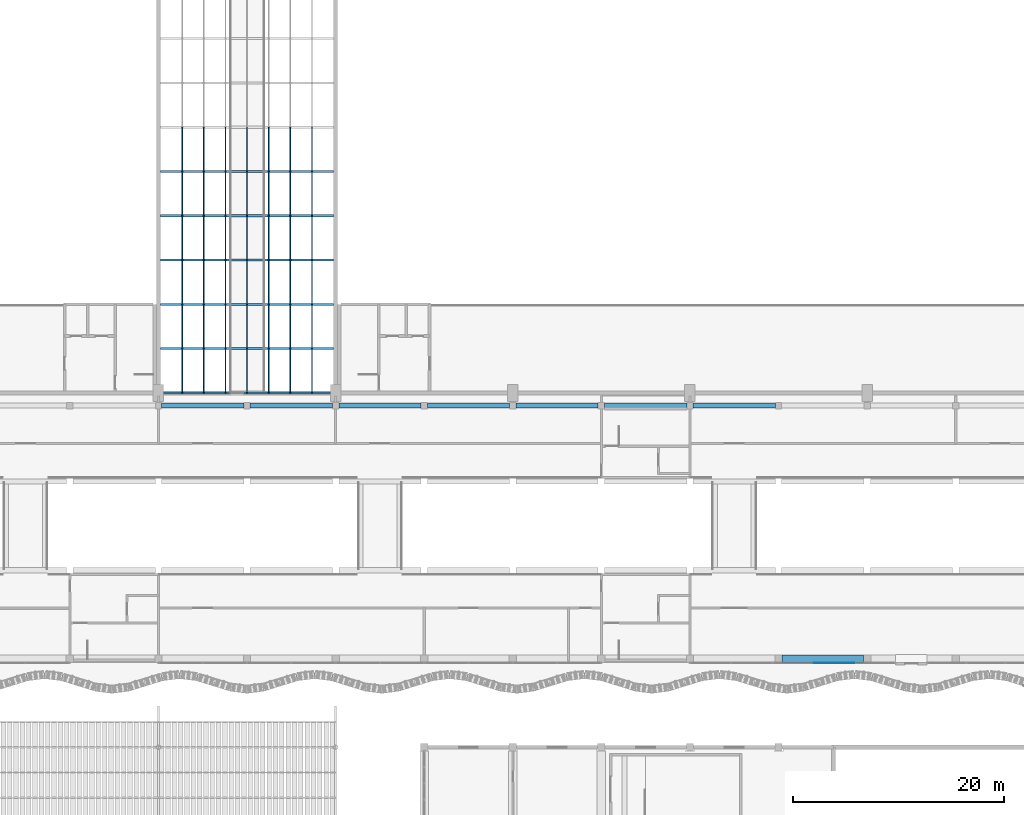
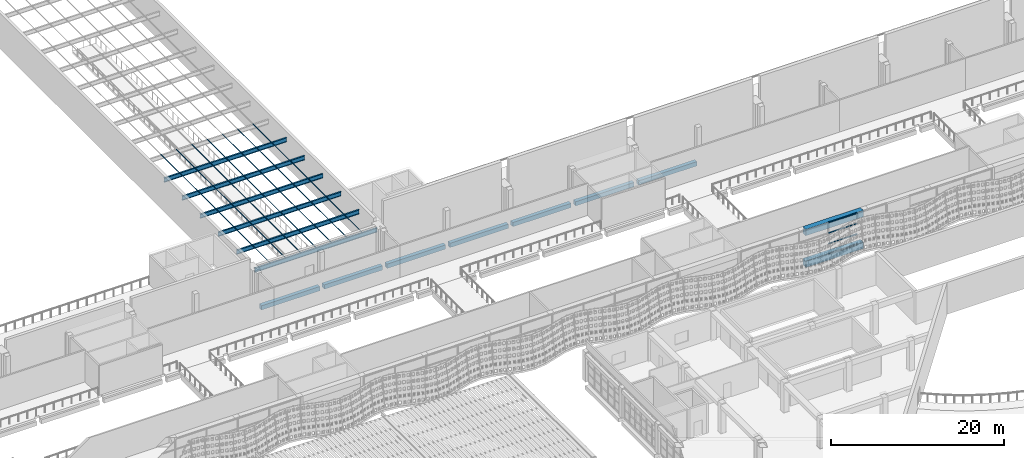
# One storey, part 51 of 162: 46 members, 15 beams, 1 element without a shape of its own.
"""IFC4 building model written with IfcOpenShell, lengths in metres."""

import ifcopenshell
import ifcopenshell.guid

model = None  # the IFC model being written
_history = None  # IfcOwnerHistory: only IFC2X3 demands one
_inside = {}  # id of a spatial element -> (the spatial element, [elements in it])
_under = {}  # id of a project, library or spatial element -> (it, [spatial elements below it])
_declared = {}  # id of a project -> (the project, [libraries it declares])
_typed = {}  # id of a type object -> (the type object, [elements of that type])
_made_of = {}  # id of a material, layer set ... -> (it, [elements and type objects made of it])


def new_model(schema):
    """Start an empty IFC model of exactly this schema.

    Asked for "IFC4X3", IfcOpenShell would pick the latest addendum, in which some entities
    have other attributes; the version numbers below select the first issue.
    IFC2X3 requires an IfcOwnerHistory on every rooted entity: one is made here for all.
    """
    global model, _history
    if schema == "IFC4X3":
        model = ifcopenshell.file(schema_version=(4, 3, 0, 0))
    else:
        model = ifcopenshell.file(schema=schema)
    _inside.clear()
    _under.clear()
    _declared.clear()
    _typed.clear()
    _made_of.clear()
    _history = None
    if model.schema == "IFC2X3":
        org = make("IfcOrganization", Name="unknown")
        user = make(
            "IfcPersonAndOrganization",
            ThePerson=make("IfcPerson", FamilyName="unknown"),
            TheOrganization=org,
        )
        app = make(
            "IfcApplication",
            ApplicationDeveloper=org,
            Version="unknown",
            ApplicationFullName="unknown",
            ApplicationIdentifier="unknown",
        )
        _history = make(
            "IfcOwnerHistory",
            OwningUser=user,
            OwningApplication=app,
            ChangeAction="ADDED",
            CreationDate=0,
        )
    return model


def make(cls, **values):
    """One entity of the class cls with the attributes given. An attribute that is None is left unset."""
    return model.create_entity(
        cls, **{name: value for name, value in values.items() if value is not None}
    )


def rooted(cls, **values):
    """An entity with a GlobalId (a new one), such as an element, a storey or a relation."""
    return make(cls, GlobalId=ifcopenshell.guid.new(), OwnerHistory=_history, **values)


def si_unit(unit_type, name, prefix=None):
    """IfcSIUnit, for example si_unit("LENGTHUNIT", "METRE", prefix="MILLI")."""
    return make("IfcSIUnit", UnitType=unit_type, Prefix=prefix, Name=name)


def assignment(units):
    """IfcUnitAssignment: the units of a project."""
    return None if units is None else make("IfcUnitAssignment", Units=units)


def point(xyz):
    """IfcCartesianPoint."""
    return None if xyz is None else make("IfcCartesianPoint", Coordinates=xyz)


def direction(xyz):
    """IfcDirection."""
    return None if xyz is None else make("IfcDirection", DirectionRatios=xyz)


def frame(location, z_axis=None, x_axis=None):
    """IfcAxis2Placement3D, a coordinate frame: its origin and axes. An axis left out is left unset."""
    return make(
        "IfcAxis2Placement3D",
        Location=point(location),
        Axis=direction(z_axis),
        RefDirection=direction(x_axis),
    )


def frame_2d(location, x_axis=None):
    """IfcAxis2Placement2D, a coordinate frame in the plane: its origin and x axis."""
    return make(
        "IfcAxis2Placement2D", Location=point(location), RefDirection=direction(x_axis)
    )


def origin():
    """The frame at (0, 0, 0) with its axes left unset."""
    return frame((0.0, 0.0, 0.0))


def origin_2d():
    """The frame at (0, 0) in the plane with its x axis left unset."""
    return frame_2d((0.0, 0.0))


def place(relative_to, where):
    """IfcLocalPlacement: puts the frame where relative to a parent placement (None: the world)."""
    return make(
        "IfcLocalPlacement", PlacementRelTo=relative_to, RelativePlacement=where
    )


def context(
    kind, dimensions, precision=None, world=None, true_north=None, identifier=None
):
    """IfcGeometricRepresentationContext, for example the 3D "Model" context."""
    return make(
        "IfcGeometricRepresentationContext",
        ContextIdentifier=identifier,
        ContextType=kind,
        CoordinateSpaceDimension=dimensions,
        Precision=precision,
        WorldCoordinateSystem=world,
        TrueNorth=true_north,
    )


def subcontext(parent, identifier, kind, view, scale=None):
    """IfcGeometricRepresentationSubContext, for example "Body" below "Model"."""
    return make(
        "IfcGeometricRepresentationSubContext",
        ContextIdentifier=identifier,
        ContextType=kind,
        ParentContext=parent,
        TargetScale=scale,
        TargetView=view,
    )


def project(units=None, contexts=None):
    """IfcProject with its units and contexts."""
    return rooted(
        "IfcProject",
        Name="project",
        RepresentationContexts=contexts,
        UnitsInContext=assignment(units),
    )


def spatial(cls, under=None, at=None, **own):
    """A site, building, storey or space (cls), placed at a placement, below another one or the project."""
    s = rooted(cls, ObjectPlacement=at, **own)
    if under is not None:
        _under.setdefault(under.id(), (under, []))[1].append(s)
    return s


def profile(cls, at=None, kind="AREA", **sizes):
    """A parametric profile (cls). Its sizes go by their IFC names, for example OverallWidth=200.0."""
    return make(cls, ProfileType=kind, Position=at, **sizes)


def rectangle(**sizes):
    """IfcRectangleProfileDef."""
    return profile("IfcRectangleProfileDef", **sizes)


def hollow_circle(**sizes):
    """IfcCircleHollowProfileDef."""
    return profile("IfcCircleHollowProfileDef", **sizes)


def i_section(**sizes):
    """IfcIShapeProfileDef."""
    return profile("IfcIShapeProfileDef", **sizes)


def extrude(swept, where, along, depth):
    """IfcExtrudedAreaSolid: the profile swept, set in the frame where, extruded along a direction by depth."""
    return make(
        "IfcExtrudedAreaSolid",
        SweptArea=swept,
        Position=where,
        ExtrudedDirection=direction(along),
        Depth=depth,
    )


def shape(context_of_items, identifier, shape_type, items):
    """IfcShapeRepresentation: the items that make up one representation, for example the "Body"."""
    return make(
        "IfcShapeRepresentation",
        ContextOfItems=context_of_items,
        RepresentationIdentifier=identifier,
        RepresentationType=shape_type,
        Items=items,
    )


def material(Name=None, Category=None):
    """IfcMaterial."""
    return make("IfcMaterial", Name=Name, Category=Category)


def layer(
    of_material, thickness, ventilated=None, Name=None, Category=None, Priority=None
):
    """IfcMaterialLayer: one layer of a wall or slab, of a material (None: an air gap)."""
    return make(
        "IfcMaterialLayer",
        Material=of_material,
        LayerThickness=thickness,
        IsVentilated=ventilated,
        Name=Name,
        Category=Category,
        Priority=Priority,
    )


def layer_set(layers, Name=None):
    """IfcMaterialLayerSet."""
    return make("IfcMaterialLayerSet", MaterialLayers=layers, LayerSetName=Name)


def material_profile(
    of_material, cross_section, Name=None, Category=None, Priority=None
):
    """IfcMaterialProfile: a cross section and its material."""
    return make(
        "IfcMaterialProfile",
        Name=Name,
        Material=of_material,
        Profile=cross_section,
        Priority=Priority,
        Category=Category,
    )


def profile_set(profiles, Name=None, composite=None):
    """IfcMaterialProfileSet."""
    return make(
        "IfcMaterialProfileSet",
        Name=Name,
        MaterialProfiles=profiles,
        CompositeProfile=composite,
    )


def made_of(thing, what):
    """Note that an element or type object is made of a material, layer set ...; save() writes the relation."""
    if what is not None:
        _made_of.setdefault(what.id(), (what, []))[1].append(thing)
    return thing


def type_object(cls, material=None, **own):
    """A type object (cls), such as IfcWallType, which elements share."""
    return made_of(rooted(cls, **own), material)


def element(
    cls,
    number,
    at=None,
    inside=None,
    cuts=None,
    type_object=None,
    material=None,
    context=None,
    identifier="Body",
    shape_type=None,
    held_by="IfcProductDefinitionShape",
    body=None,
    shapes=None,
    **own,
):
    """One element of the class cls, such as IfcWall. Its Tag is "e" and its number.

    at: its placement. inside: the storey or other place that contains it. cuts: it is an
    opening in that element (IfcRelVoidsElement). A single representation is given by context,
    identifier, shape_type and body (its items); several are given by shapes. held_by: the class
    of the entity that holds the representations. save() writes the other relations.
    """
    e = rooted(cls, Tag="e%d" % number, ObjectPlacement=at, **own)
    if body is not None:
        shapes = [shape(context, identifier, shape_type, body)]
    if shapes is not None:
        e.Representation = make(held_by, Representations=shapes)
    if inside is not None:
        _inside.setdefault(inside.id(), (inside, []))[1].append(e)
    if cuts is not None:
        rooted(
            "IfcRelVoidsElement", RelatingBuildingElement=cuts, RelatedOpeningElement=e
        )
    if type_object is not None:
        _typed.setdefault(type_object.id(), (type_object, []))[1].append(e)
    return made_of(e, material)


def aggregate(whole, parts):
    """IfcRelAggregates: a whole, such as a stair, and the parts it consists of."""
    return rooted("IfcRelAggregates", RelatingObject=whole, RelatedObjects=parts)


def save(model, path):
    """Write the relations noted so far, then the file.

    IfcRelAggregates (storeys below a building ...), IfcRelContainedInSpatialStructure (elements
    in a storey), IfcRelDefinesByType, IfcRelAssociatesMaterial and IfcRelDeclares: one each for
    every whole, place, type object, material and project.
    """
    for whole, parts in _under.values():
        aggregate(whole, parts)
    for where, things in _inside.values():
        rooted(
            "IfcRelContainedInSpatialStructure",
            RelatedElements=things,
            RelatingStructure=where,
        )
    for kind, things in _typed.values():
        rooted("IfcRelDefinesByType", RelatedObjects=things, RelatingType=kind)
    for what, things in _made_of.values():
        rooted("IfcRelAssociatesMaterial", RelatedObjects=things, RelatingMaterial=what)
    for by, libraries in _declared.values():
        rooted("IfcRelDeclares", RelatingContext=by, RelatedDefinitions=libraries)
    model.write(path)


model = new_model("IFC4")

# Units and contexts
model_context = context("Model", 3, precision=1e-05, world=origin(), true_north=direction((0.0, 1.0)))
body_context = subcontext(model_context, "Body", "Model", "MODEL_VIEW")
ifc_project = project(units=[si_unit("LENGTHUNIT", "METRE"), si_unit("AREAUNIT", "SQUARE_METRE"), si_unit("VOLUMEUNIT", "CUBIC_METRE"), si_unit("PLANEANGLEUNIT", "RADIAN"), si_unit("MASSUNIT", "GRAM", prefix="KILO")], contexts=[model_context])

# Site, building, storey
site_placement = place(None, origin())
site = spatial("IfcSite", under=ifc_project, at=site_placement, CompositionType="ELEMENT")
building_placement = place(site_placement, origin())
building = spatial("IfcBuilding", under=site, at=building_placement, Name="Rain Tree Exposition and Congress Centre", CompositionType="ELEMENT")
storey_placement = place(building_placement, frame((0.0, 0.0, 6.0)))
storey = spatial("IfcBuildingStorey", under=building, at=storey_placement, Name="L01", CompositionType="ELEMENT", Elevation=6.0)

# Curtain wall, members
ifc_material_1 = material(Name="Aluminium curtain wall system", Category="aluminium")
ifc_layer = layer(ifc_material_1, 0.10009765625)
ifc_layer_set = layer_set([ifc_layer], Name="Aluminium curtain wall system")
curtain_wall_type = type_object("IfcCurtainWallType", Name="Concourse curtain wall 4200 module", PredefinedType="NOTDEFINED", material=ifc_layer_set)
curtain_wall_placement = place(storey_placement, origin())
curtain_wall = element("IfcCurtainWall", 1, at=curtain_wall_placement, inside=storey, type_object=curtain_wall_type, Name="Concourse curtain wall CWC26", PredefinedType="NOTDEFINED")
ifc_material_2 = material(Name="Aluminium transom", Category="aluminium")
ifc_material_profile_1 = material_profile(ifc_material_2, rectangle(XDim=0.06005859375, YDim=0.1201171875, at=origin_2d()), Name="AL 60x120")
ifc_profile_set_1 = profile_set([ifc_material_profile_1], Name="Aluminium transom")
member_type_1 = type_object("IfcMemberType", Name="Concourse curtain wall transom 60x120", PredefinedType="USERDEFINED", material=ifc_profile_set_1)
member_1_placement = place(storey_placement, frame((188.1298828125, 75.199951171875, 0.030029296875), z_axis=(1.0, 0.0, 0.0), x_axis=(0.0, 1.0, 0.0)))
member_1 = element("IfcMember", 2, at=member_1_placement, type_object=member_type_1, Name="CWC26 transom 4.1", ObjectType="TRANSOM", PredefinedType="USERDEFINED", context=body_context, shape_type="SweptSolid", body=[
    extrude(rectangle(XDim=0.06005859375, YDim=0.1201171875, at=origin_2d()), origin(), (0.0, 0.0, 1.0), 3.840087890625),
])
member_2_placement = place(storey_placement, frame((188.1298828125, 75.199951171875, 1.5), z_axis=(1.0, 0.0, 0.0), x_axis=(0.0, 1.0, 0.0)))
member_2 = element("IfcMember", 3, at=member_2_placement, type_object=member_type_1, Name="CWC26 transom 4.2", ObjectType="TRANSOM", PredefinedType="USERDEFINED", context=body_context, shape_type="SweptSolid", body=[
    extrude(rectangle(XDim=0.06005859375, YDim=0.1201171875, at=origin_2d()), origin(), (0.0, 0.0, 1.0), 3.840087890625),
])
member_3_placement = place(storey_placement, frame((188.1298828125, 75.199951171875, 3.0), z_axis=(1.0, 0.0, 0.0), x_axis=(0.0, 1.0, 0.0)))
member_3 = element("IfcMember", 4, at=member_3_placement, type_object=member_type_1, Name="CWC26 transom 4.3", ObjectType="TRANSOM", PredefinedType="USERDEFINED", context=body_context, shape_type="SweptSolid", body=[
    extrude(rectangle(XDim=0.06005859375, YDim=0.1201171875, at=origin_2d()), origin(), (0.0, 0.0, 1.0), 3.840087890625),
])
member_4_placement = place(storey_placement, frame((188.1298828125, 75.199951171875, 4.469970703125), z_axis=(1.0, 0.0, 0.0), x_axis=(0.0, 1.0, 0.0)))
member_4 = element("IfcMember", 5, at=member_4_placement, type_object=member_type_1, Name="CWC26 transom 4.4", ObjectType="TRANSOM", PredefinedType="USERDEFINED", context=body_context, shape_type="SweptSolid", body=[
    extrude(rectangle(XDim=0.06005859375, YDim=0.1201171875, at=origin_2d()), origin(), (0.0, 0.0, 1.0), 3.840087890625),
])
aggregate(curtain_wall, [member_1, member_2, member_3, member_4])

# Beams
ifc_material_3 = material(Name="Precast concrete C50/60", Category="concrete")
ifc_material_profile_2 = material_profile(ifc_material_3, rectangle(XDim=0.5, YDim=0.60009765625, at=origin_2d()), Name="RC 500x600")
ifc_profile_set_2 = profile_set([ifc_material_profile_2], Name="Precast concrete C50/60")
beam_type_1 = type_object("IfcBeamType", Name="Precast beam 500x600", PredefinedType="BEAM", material=ifc_profile_set_2)
for number, where, z_axis, x_axis, name in (
    (6, (126.300048828125, 99.60009765625, -0.60009765625), (1.0, 0.0, 0.0), (0.0, 1.0, 0.0), "Concourse floor beam 112"),
    (7, (134.699951171875, 99.60009765625, -0.60009765625), (1.0, 0.0, 0.0), (0.0, 1.0, 0.0), "Concourse floor beam 113"),
):
    element("IfcBeam", number, at=place(storey_placement, frame(where, z_axis=z_axis, x_axis=x_axis)), inside=storey, type_object=beam_type_1, Name=name, PredefinedType="BEAM", context=body_context, shape_type="SweptSolid", body=[
        extrude(rectangle(XDim=0.5, YDim=0.60009765625, at=origin_2d()), origin(), (0.0, 0.0, 1.0), 7.800048828125),
    ])
beam_placement = place(storey_placement, frame((143.10009765625, 99.60009765625, -0.60009765625), z_axis=(1.0, 0.0, 0.0), x_axis=(0.0, 1.0, 0.0)))
element("IfcBeam", 8, at=beam_placement, inside=storey, type_object=beam_type_1, Name="Concourse floor beam 114", PredefinedType="BEAM", context=body_context, shape_type="SweptSolid", body=[
    extrude(rectangle(XDim=0.5, YDim=0.60009765625, at=origin_2d()), origin(), (0.0, 0.0, 1.0), 7.7998046875),
])
for number, where, z_axis, x_axis, name in (
    (9, (151.5, 99.60009765625, -0.60009765625), (1.0, 0.0, 0.0), (0.0, 1.0, 0.0), "Concourse floor beam 115"),
    (10, (159.89990234375, 99.60009765625, -0.60009765625), (1.0, 0.0, 0.0), (0.0, 1.0, 0.0), "Concourse floor beam 116"),
    (11, (168.300048828125, 99.60009765625, -0.60009765625), (1.0, 0.0, 0.0), (0.0, 1.0, 0.0), "Concourse floor beam 117"),
    (12, (176.699951171875, 99.60009765625, -0.60009765625), (1.0, 0.0, 0.0), (0.0, 1.0, 0.0), "Concourse floor beam 118"),
):
    element("IfcBeam", number, at=place(storey_placement, frame(where, z_axis=z_axis, x_axis=x_axis)), inside=storey, type_object=beam_type_1, Name=name, PredefinedType="BEAM", context=body_context, shape_type="SweptSolid", body=[
        extrude(rectangle(XDim=0.5, YDim=0.60009765625, at=origin_2d()), origin(), (0.0, 0.0, 1.0), 7.800048828125),
    ])
ifc_material_4 = material(Name="Precast concrete C50/60", Category="concrete")
ifc_material_profile_3 = material_profile(ifc_material_4, rectangle(XDim=0.699951171875, YDim=0.89990234375, at=origin_2d()), Name="RC 700x900")
ifc_profile_set_3 = profile_set([ifc_material_profile_3], Name="Precast concrete C50/60")
beam_type_2 = type_object("IfcBeamType", Name="Precast beam 700x900", PredefinedType="BEAM", material=ifc_profile_set_3)
for number, where, z_axis, x_axis, name in (
    (13, (185.14990234375, 75.60009765625, -0.449951171875), (1.0, 0.0, 0.0), (0.0, 1.0, 0.0), "Concourse edge beam 23"),
    (14, (185.14990234375, 75.60009765625, 4.050048828125), (1.0, 0.0, 0.0), (0.0, 1.0, 0.0), "Concourse roof edge beam 23"),
):
    element("IfcBeam", number, at=place(storey_placement, frame(where, z_axis=z_axis, x_axis=x_axis)), inside=storey, type_object=beam_type_2, Name=name, PredefinedType="BEAM", context=body_context, shape_type="SweptSolid", body=[
        extrude(rectangle(XDim=0.699951171875, YDim=0.89990234375, at=origin_2d()), origin(), (0.0, 0.0, 1.0), 7.7001953125),
    ])

# Members
ifc_material_5 = material(Name="Steel S355J2H", Category="steel")
ifc_material_profile_4 = material_profile(ifc_material_5, hollow_circle(Radius=0.05712890625, WallThickness=0.00439453125, at=origin_2d()), Name="CHS 114x4.5")
ifc_profile_set_4 = profile_set([ifc_material_profile_4], Name="Steel S355J2H")
member_type_2 = type_object("IfcMemberType", Name="Steel purlin member CHS 114x4.5", PredefinedType="PURLIN", material=ifc_profile_set_4)
for number, where, z_axis, x_axis, name in (
    (15, (128.25, 100.800048828125, 4.257080078125), (0.0, 1.0, 0.0), (-1.0, 0.0, 0.0), "Link roof purlin 1"),
    (16, (128.25, 105.0, 4.257080078125), (0.0, 1.0, 0.0), (-1.0, 0.0, 0.0), "Link roof purlin 2"),
    (17, (128.25, 109.199951171875, 4.257080078125), (0.0, 1.0, 0.0), (-1.0, 0.0, 0.0), "Link roof purlin 3"),
):
    element("IfcMember", number, at=place(storey_placement, frame(where, z_axis=z_axis, x_axis=x_axis)), inside=storey, type_object=member_type_2, Name=name, PredefinedType="PURLIN", context=body_context, shape_type="SweptSolid", body=[
        extrude(hollow_circle(Radius=0.05712890625, WallThickness=0.00439453125, at=origin_2d()), origin(), (0.0, 0.0, 1.0), 4.199951171875),
    ])
member_5_placement = place(storey_placement, frame((128.25, 113.39990234375, 4.257080078125), z_axis=(0.0, 1.0, 0.0), x_axis=(-1.0, 0.0, 0.0)))
element("IfcMember", 18, at=member_5_placement, inside=storey, type_object=member_type_2, Name="Link roof purlin 4", PredefinedType="PURLIN", context=body_context, shape_type="SweptSolid", body=[
    extrude(hollow_circle(Radius=0.05712890625, WallThickness=0.00439453125, at=origin_2d()), origin(), (0.0, 0.0, 1.0), 4.2001953125),
])
for number, where, z_axis, x_axis, name in (
    (19, (128.25, 117.60009765625, 4.257080078125), (0.0, 1.0, 0.0), (-1.0, 0.0, 0.0), "Link roof purlin 5"),
    (20, (128.25, 121.800048828125, 4.257080078125), (0.0, 1.0, 0.0), (-1.0, 0.0, 0.0), "Link roof purlin 6"),
    (21, (130.300048828125, 100.800048828125, 4.257080078125), (0.0, 1.0, 0.0), (-1.0, 0.0, 0.0), "Link roof purlin 25"),
    (22, (130.300048828125, 105.0, 4.257080078125), (0.0, 1.0, 0.0), (-1.0, 0.0, 0.0), "Link roof purlin 26"),
    (23, (130.300048828125, 109.199951171875, 4.257080078125), (0.0, 1.0, 0.0), (-1.0, 0.0, 0.0), "Link roof purlin 27"),
):
    element("IfcMember", number, at=place(storey_placement, frame(where, z_axis=z_axis, x_axis=x_axis)), inside=storey, type_object=member_type_2, Name=name, PredefinedType="PURLIN", context=body_context, shape_type="SweptSolid", body=[
        extrude(hollow_circle(Radius=0.05712890625, WallThickness=0.00439453125, at=origin_2d()), origin(), (0.0, 0.0, 1.0), 4.199951171875),
    ])
member_6_placement = place(storey_placement, frame((130.300048828125, 113.39990234375, 4.257080078125), z_axis=(0.0, 1.0, 0.0), x_axis=(-1.0, 0.0, 0.0)))
element("IfcMember", 24, at=member_6_placement, inside=storey, type_object=member_type_2, Name="Link roof purlin 28", PredefinedType="PURLIN", context=body_context, shape_type="SweptSolid", body=[
    extrude(hollow_circle(Radius=0.05712890625, WallThickness=0.00439453125, at=origin_2d()), origin(), (0.0, 0.0, 1.0), 4.2001953125),
])
for number, where, z_axis, x_axis, name in (
    (25, (130.300048828125, 117.60009765625, 4.257080078125), (0.0, 1.0, 0.0), (-1.0, 0.0, 0.0), "Link roof purlin 29"),
    (26, (130.300048828125, 121.800048828125, 4.257080078125), (0.0, 1.0, 0.0), (-1.0, 0.0, 0.0), "Link roof purlin 30"),
    (27, (132.35009765625, 100.800048828125, 4.257080078125), (0.0, 1.0, 0.0), (-1.0, 0.0, 0.0), "Link roof purlin 49"),
    (28, (132.35009765625, 105.0, 4.257080078125), (0.0, 1.0, 0.0), (-1.0, 0.0, 0.0), "Link roof purlin 50"),
    (29, (132.35009765625, 109.199951171875, 4.257080078125), (0.0, 1.0, 0.0), (-1.0, 0.0, 0.0), "Link roof purlin 51"),
):
    element("IfcMember", number, at=place(storey_placement, frame(where, z_axis=z_axis, x_axis=x_axis)), inside=storey, type_object=member_type_2, Name=name, PredefinedType="PURLIN", context=body_context, shape_type="SweptSolid", body=[
        extrude(hollow_circle(Radius=0.05712890625, WallThickness=0.00439453125, at=origin_2d()), origin(), (0.0, 0.0, 1.0), 4.199951171875),
    ])
member_7_placement = place(storey_placement, frame((132.35009765625, 113.39990234375, 4.257080078125), z_axis=(0.0, 1.0, 0.0), x_axis=(-1.0, 0.0, 0.0)))
element("IfcMember", 30, at=member_7_placement, inside=storey, type_object=member_type_2, Name="Link roof purlin 52", PredefinedType="PURLIN", context=body_context, shape_type="SweptSolid", body=[
    extrude(hollow_circle(Radius=0.05712890625, WallThickness=0.00439453125, at=origin_2d()), origin(), (0.0, 0.0, 1.0), 4.2001953125),
])
for number, where, z_axis, x_axis, name in (
    (31, (132.35009765625, 117.60009765625, 4.257080078125), (0.0, 1.0, 0.0), (-1.0, 0.0, 0.0), "Link roof purlin 53"),
    (32, (132.35009765625, 121.800048828125, 4.257080078125), (0.0, 1.0, 0.0), (-1.0, 0.0, 0.0), "Link roof purlin 54"),
    (33, (134.39990234375, 100.800048828125, 4.257080078125), (0.0, 1.0, 0.0), (-1.0, 0.0, 0.0), "Link roof purlin 73"),
    (34, (134.39990234375, 105.0, 4.257080078125), (0.0, 1.0, 0.0), (-1.0, 0.0, 0.0), "Link roof purlin 74"),
    (35, (134.39990234375, 109.199951171875, 4.257080078125), (0.0, 1.0, 0.0), (-1.0, 0.0, 0.0), "Link roof purlin 75"),
):
    element("IfcMember", number, at=place(storey_placement, frame(where, z_axis=z_axis, x_axis=x_axis)), inside=storey, type_object=member_type_2, Name=name, PredefinedType="PURLIN", context=body_context, shape_type="SweptSolid", body=[
        extrude(hollow_circle(Radius=0.05712890625, WallThickness=0.00439453125, at=origin_2d()), origin(), (0.0, 0.0, 1.0), 4.199951171875),
    ])
member_8_placement = place(storey_placement, frame((134.39990234375, 113.39990234375, 4.257080078125), z_axis=(0.0, 1.0, 0.0), x_axis=(-1.0, 0.0, 0.0)))
element("IfcMember", 36, at=member_8_placement, inside=storey, type_object=member_type_2, Name="Link roof purlin 76", PredefinedType="PURLIN", context=body_context, shape_type="SweptSolid", body=[
    extrude(hollow_circle(Radius=0.05712890625, WallThickness=0.00439453125, at=origin_2d()), origin(), (0.0, 0.0, 1.0), 4.2001953125),
])
for number, where, z_axis, x_axis, name in (
    (37, (134.39990234375, 117.60009765625, 4.257080078125), (0.0, 1.0, 0.0), (-1.0, 0.0, 0.0), "Link roof purlin 77"),
    (38, (134.39990234375, 121.800048828125, 4.257080078125), (0.0, 1.0, 0.0), (-1.0, 0.0, 0.0), "Link roof purlin 78"),
    (39, (136.449951171875, 100.800048828125, 4.257080078125), (0.0, 1.0, 0.0), (-1.0, 0.0, 0.0), "Link roof purlin 97"),
    (40, (136.449951171875, 105.0, 4.257080078125), (0.0, 1.0, 0.0), (-1.0, 0.0, 0.0), "Link roof purlin 98"),
    (41, (136.449951171875, 109.199951171875, 4.257080078125), (0.0, 1.0, 0.0), (-1.0, 0.0, 0.0), "Link roof purlin 99"),
):
    element("IfcMember", number, at=place(storey_placement, frame(where, z_axis=z_axis, x_axis=x_axis)), inside=storey, type_object=member_type_2, Name=name, PredefinedType="PURLIN", context=body_context, shape_type="SweptSolid", body=[
        extrude(hollow_circle(Radius=0.05712890625, WallThickness=0.00439453125, at=origin_2d()), origin(), (0.0, 0.0, 1.0), 4.199951171875),
    ])
member_9_placement = place(storey_placement, frame((136.449951171875, 113.39990234375, 4.257080078125), z_axis=(0.0, 1.0, 0.0), x_axis=(-1.0, 0.0, 0.0)))
element("IfcMember", 42, at=member_9_placement, inside=storey, type_object=member_type_2, Name="Link roof purlin 100", PredefinedType="PURLIN", context=body_context, shape_type="SweptSolid", body=[
    extrude(hollow_circle(Radius=0.05712890625, WallThickness=0.00439453125, at=origin_2d()), origin(), (0.0, 0.0, 1.0), 4.2001953125),
])
for number, where, z_axis, x_axis, name in (
    (43, (136.449951171875, 117.60009765625, 4.257080078125), (0.0, 1.0, 0.0), (-1.0, 0.0, 0.0), "Link roof purlin 101"),
    (44, (136.449951171875, 121.800048828125, 4.257080078125), (0.0, 1.0, 0.0), (-1.0, 0.0, 0.0), "Link roof purlin 102"),
    (45, (138.5, 100.800048828125, 4.257080078125), (0.0, 1.0, 0.0), (-1.0, 0.0, 0.0), "Link roof purlin 121"),
    (46, (138.5, 105.0, 4.257080078125), (0.0, 1.0, 0.0), (-1.0, 0.0, 0.0), "Link roof purlin 122"),
    (47, (138.5, 109.199951171875, 4.257080078125), (0.0, 1.0, 0.0), (-1.0, 0.0, 0.0), "Link roof purlin 123"),
):
    element("IfcMember", number, at=place(storey_placement, frame(where, z_axis=z_axis, x_axis=x_axis)), inside=storey, type_object=member_type_2, Name=name, PredefinedType="PURLIN", context=body_context, shape_type="SweptSolid", body=[
        extrude(hollow_circle(Radius=0.05712890625, WallThickness=0.00439453125, at=origin_2d()), origin(), (0.0, 0.0, 1.0), 4.199951171875),
    ])
member_10_placement = place(storey_placement, frame((138.5, 113.39990234375, 4.257080078125), z_axis=(0.0, 1.0, 0.0), x_axis=(-1.0, 0.0, 0.0)))
element("IfcMember", 48, at=member_10_placement, inside=storey, type_object=member_type_2, Name="Link roof purlin 124", PredefinedType="PURLIN", context=body_context, shape_type="SweptSolid", body=[
    extrude(hollow_circle(Radius=0.05712890625, WallThickness=0.00439453125, at=origin_2d()), origin(), (0.0, 0.0, 1.0), 4.2001953125),
])
for number, where, z_axis, x_axis, name in (
    (49, (138.5, 117.60009765625, 4.257080078125), (0.0, 1.0, 0.0), (-1.0, 0.0, 0.0), "Link roof purlin 125"),
    (50, (138.5, 121.800048828125, 4.257080078125), (0.0, 1.0, 0.0), (-1.0, 0.0, 0.0), "Link roof purlin 126"),
    (51, (140.550048828125, 100.800048828125, 4.257080078125), (0.0, 1.0, 0.0), (-1.0, 0.0, 0.0), "Link roof purlin 145"),
    (52, (140.550048828125, 105.0, 4.257080078125), (0.0, 1.0, 0.0), (-1.0, 0.0, 0.0), "Link roof purlin 146"),
    (53, (140.550048828125, 109.199951171875, 4.257080078125), (0.0, 1.0, 0.0), (-1.0, 0.0, 0.0), "Link roof purlin 147"),
):
    element("IfcMember", number, at=place(storey_placement, frame(where, z_axis=z_axis, x_axis=x_axis)), inside=storey, type_object=member_type_2, Name=name, PredefinedType="PURLIN", context=body_context, shape_type="SweptSolid", body=[
        extrude(hollow_circle(Radius=0.05712890625, WallThickness=0.00439453125, at=origin_2d()), origin(), (0.0, 0.0, 1.0), 4.199951171875),
    ])
member_11_placement = place(storey_placement, frame((140.550048828125, 113.39990234375, 4.257080078125), z_axis=(0.0, 1.0, 0.0), x_axis=(-1.0, 0.0, 0.0)))
element("IfcMember", 54, at=member_11_placement, inside=storey, type_object=member_type_2, Name="Link roof purlin 148", PredefinedType="PURLIN", context=body_context, shape_type="SweptSolid", body=[
    extrude(hollow_circle(Radius=0.05712890625, WallThickness=0.00439453125, at=origin_2d()), origin(), (0.0, 0.0, 1.0), 4.2001953125),
])
for number, where, z_axis, x_axis, name in (
    (55, (140.550048828125, 117.60009765625, 4.257080078125), (0.0, 1.0, 0.0), (-1.0, 0.0, 0.0), "Link roof purlin 149"),
    (56, (140.550048828125, 121.800048828125, 4.257080078125), (0.0, 1.0, 0.0), (-1.0, 0.0, 0.0), "Link roof purlin 150"),
):
    element("IfcMember", number, at=place(storey_placement, frame(where, z_axis=z_axis, x_axis=x_axis)), inside=storey, type_object=member_type_2, Name=name, PredefinedType="PURLIN", context=body_context, shape_type="SweptSolid", body=[
        extrude(hollow_circle(Radius=0.05712890625, WallThickness=0.00439453125, at=origin_2d()), origin(), (0.0, 0.0, 1.0), 4.199951171875),
    ])

# Beams
ifc_material_6 = material(Name="Steel S355J2", Category="steel")
ifc_material_profile_5 = material_profile(ifc_material_6, i_section(OverallWidth=0.199951171875, OverallDepth=0.60009765625, WebThickness=0.010986328125, FlangeThickness=0.01708984375, FilletRadius=0.02197265625, at=origin_2d()), Name="H 600x200x11x17")
ifc_profile_set_5 = profile_set([ifc_material_profile_5], Name="Steel S355J2")
beam_type_3 = type_object("IfcBeamType", Name="Steel roof beam H 600x200x11x17", PredefinedType="BEAM", material=ifc_profile_set_5)
for number, where, z_axis, x_axis, name in (
    (57, (126.199951171875, 100.800048828125, 3.89990234375), (1.0, 0.0, 0.0), (0.0, 1.0, 0.0), "Link roof beam 1"),
    (58, (126.199951171875, 105.0, 3.89990234375), (1.0, 0.0, 0.0), (0.0, 1.0, 0.0), "Link roof beam 2"),
    (59, (126.199951171875, 109.199951171875, 3.89990234375), (1.0, 0.0, 0.0), (0.0, 1.0, 0.0), "Link roof beam 3"),
    (60, (126.199951171875, 113.39990234375, 3.89990234375), (1.0, 0.0, 0.0), (0.0, 1.0, 0.0), "Link roof beam 4"),
    (61, (126.199951171875, 117.60009765625, 3.89990234375), (1.0, 0.0, 0.0), (0.0, 1.0, 0.0), "Link roof beam 5"),
    (62, (126.199951171875, 121.800048828125, 3.89990234375), (1.0, 0.0, 0.0), (0.0, 1.0, 0.0), "Link roof beam 6"),
):
    element("IfcBeam", number, at=place(storey_placement, frame(where, z_axis=z_axis, x_axis=x_axis)), inside=storey, type_object=beam_type_3, Name=name, PredefinedType="BEAM", context=body_context, shape_type="SweptSolid", body=[
        extrude(i_section(OverallWidth=0.199951171875, OverallDepth=0.60009765625, WebThickness=0.010986328125, FlangeThickness=0.01708984375, FilletRadius=0.02197265625, at=origin_2d()), origin(), (0.0, 0.0, 1.0), 16.400146484375),
    ])

save(model, "model.ifc")
